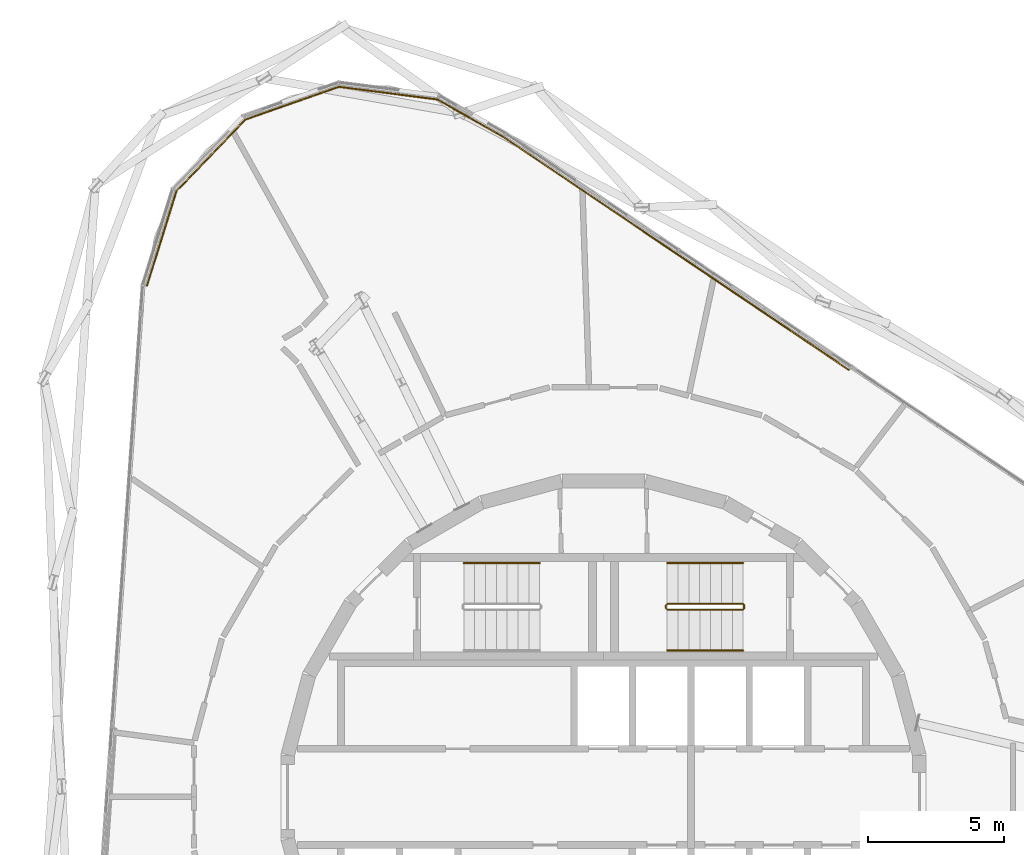
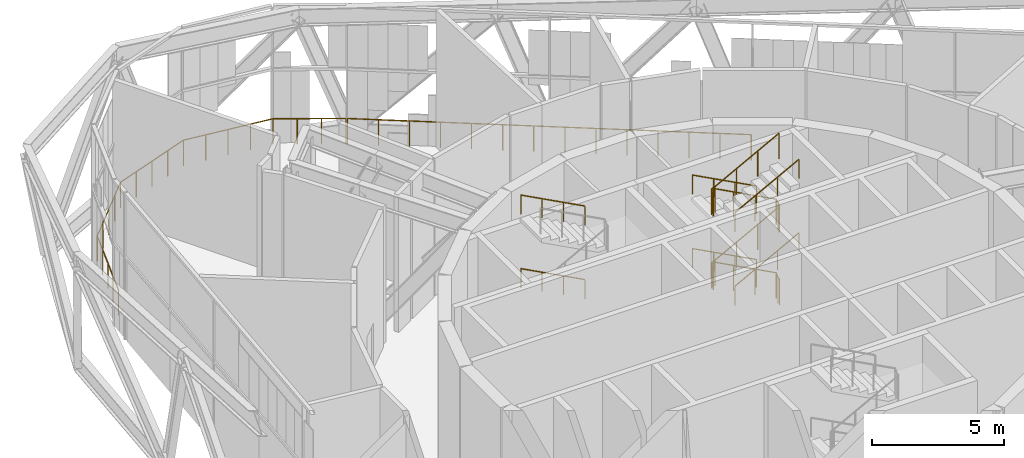
# One storey, part 24 of 24: 9 railings.
"""IFC4 building model written with IfcOpenShell, lengths in metres."""

from ifc_helpers import new_model, si_unit, direction, frame, origin, origin_2d, place, context, subcontext, project, spatial, circle, extrude, material, type_object, element, save


model = new_model("IFC4")

# Units and contexts
model_context = context("Model", 3, precision=1e-05, world=origin(), true_north=direction((0.0, 1.0)))
body_context = subcontext(model_context, "Body", "Model", "MODEL_VIEW")
ifc_project = project(units=[si_unit("LENGTHUNIT", "METRE"), si_unit("AREAUNIT", "SQUARE_METRE"), si_unit("VOLUMEUNIT", "CUBIC_METRE"), si_unit("PLANEANGLEUNIT", "RADIAN"), si_unit("MASSUNIT", "GRAM", prefix="KILO")], contexts=[model_context])

# Site, building, storey
site_placement = place(None, origin())
site = spatial("IfcSite", under=ifc_project, at=site_placement, CompositionType="ELEMENT")
building_placement = place(site_placement, origin())
building = spatial("IfcBuilding", under=site, at=building_placement, Name="Spindle Arch Residences", CompositionType="ELEMENT")
storey_placement = place(building_placement, frame((0.0, 0.0, 219.89990234375)))
storey = spatial("IfcBuildingStorey", under=building, at=storey_placement, Name="L56", CompositionType="ELEMENT", Elevation=219.89990234375)

# Railings
ifc_material_1 = material(Name="Bronze anodised aluminium guard with glass infill", Category="aluminium")
railing_type_1 = type_object("IfcRailingType", Name="Facade guard 1200", PredefinedType="GUARDRAIL", material=ifc_material_1)
railing_1_placement = place(storey_placement, frame((9.03955078125, 15.748291015625, 0.0)))
element("IfcRailing", 1, at=railing_1_placement, inside=storey, type_object=railing_type_1, Name="Facade guard L56 3", PredefinedType="GUARDRAIL", context=body_context, shape_type="SweptSolid", body=[
    extrude(circle(Radius=0.02392578125, at=origin_2d()), frame((0.0, 0.0, 1.17578125), z_axis=(-0.829036238108, 0.559194881864, 0.0), x_axis=(-0.559194881864, -0.829036238108, 0.0)), (0.0, 0.0, 1.0), 15.327392578125),
    extrude(circle(Radius=0.02099609375, at=origin_2d()), origin(), (0.0, 0.0, 1.0), 1.15185546875),
    extrude(circle(Radius=0.02099609375, at=origin_2d()), frame((-0.9775390625, 0.659423828125, 0.0)), (0.0, 0.0, 1.0), 1.15185546875),
    extrude(circle(Radius=0.02099609375, at=origin_2d()), frame((-1.954833984375, 1.318603515625, 0.0)), (0.0, 0.0, 1.0), 1.15185546875),
    extrude(circle(Radius=0.02099609375, at=origin_2d()), frame((-2.932373046875, 1.97802734375, 0.0)), (0.0, 0.0, 1.0), 1.15185546875),
    extrude(circle(Radius=0.02099609375, at=origin_2d()), frame((-3.909912109375, 2.63720703125, 0.0)), (0.0, 0.0, 1.0), 1.15185546875),
    extrude(circle(Radius=0.02099609375, at=origin_2d()), frame((-4.88720703125, 3.296630859375, 0.0)), (0.0, 0.0, 1.0), 1.15185546875),
    extrude(circle(Radius=0.02099609375, at=origin_2d()), frame((-5.86474609375, 3.955810546875, 0.0)), (0.0, 0.0, 1.0), 1.15185546875),
    extrude(circle(Radius=0.02099609375, at=origin_2d()), frame((-6.84228515625, 4.615234375, 0.0)), (0.0, 0.0, 1.0), 1.15185546875),
    extrude(circle(Radius=0.02099609375, at=origin_2d()), frame((-7.81982421875, 5.2744140625, 0.0)), (0.0, 0.0, 1.0), 1.15185546875),
    extrude(circle(Radius=0.02099609375, at=origin_2d()), frame((-8.797119140625, 5.933837890625, 0.0)), (0.0, 0.0, 1.0), 1.15185546875),
    extrude(circle(Radius=0.02099609375, at=origin_2d()), frame((-9.774658203125, 6.593017578125, 0.0)), (0.0, 0.0, 1.0), 1.15185546875),
    extrude(circle(Radius=0.02099609375, at=origin_2d()), frame((-10.752197265625, 7.25244140625, 0.0)), (0.0, 0.0, 1.0), 1.15185546875),
    extrude(circle(Radius=0.02099609375, at=origin_2d()), frame((-11.7294921875, 7.91162109375, 0.0)), (0.0, 0.0, 1.0), 1.15185546875),
    extrude(circle(Radius=0.02099609375, at=origin_2d()), frame((-12.70703125, 8.571044921875, 0.0)), (0.0, 0.0, 1.0), 1.15185546875),
])
railing_2_placement = place(storey_placement, frame((-3.708740234375, 24.3447265625, 0.0)))
element("IfcRailing", 2, at=railing_2_placement, inside=storey, type_object=railing_type_1, Name="Facade guard L56 4", PredefinedType="GUARDRAIL", context=body_context, shape_type="SweptSolid", body=[
    extrude(circle(Radius=0.02392578125, at=origin_2d()), frame((0.0, 0.0, 1.17578125), z_axis=(-0.86953382172, 0.493873397629, 0.0), x_axis=(-0.493873397629, -0.86953382172, 0.0)), (0.0, 0.0, 1.0), 2.775634765625),
    extrude(circle(Radius=0.02392578125, at=origin_2d()), frame((-2.41357421875, 1.370849609375, 1.17578125), z_axis=(-0.991815435092, 0.127679844587, 0.0), x_axis=(-0.127679844587, -0.991815435092, 0.0)), (0.0, 0.0, 1.0), 3.66748046875),
    extrude(circle(Radius=0.02392578125, at=origin_2d()), frame((-6.051025390625, 1.839111328125, 1.17578125), z_axis=(-0.943402558528, -0.331649834256, 0.0), x_axis=(0.331649834256, -0.943402558528, 0.0)), (0.0, 0.0, 1.0), 3.656494140625),
    extrude(circle(Radius=0.02392578125, at=origin_2d()), frame((-9.50048828125, 0.62646484375, 1.17578125), z_axis=(-0.694135570584, -0.719844295421, 0.0), x_axis=(0.719844295421, -0.694135570584, 0.0)), (0.0, 0.0, 1.0), 3.656005859375),
    extrude(circle(Radius=0.02392578125, at=origin_2d()), frame((-12.038330078125, -2.00537109375, 1.17578125), z_axis=(-0.297274892805, -0.954791934459, 0.0), x_axis=(0.954791934459, -0.297274892805, 0.0)), (0.0, 0.0, 1.0), 3.65625),
    extrude(circle(Radius=0.02099609375, at=origin_2d()), origin(), (0.0, 0.0, 1.0), 1.15185546875),
    extrude(circle(Radius=0.02099609375, at=origin_2d()), frame((-0.804443359375, 0.45703125, 0.0)), (0.0, 0.0, 1.0), 1.15185546875),
    extrude(circle(Radius=0.02099609375, at=origin_2d()), frame((-1.609130859375, 0.913818359375, 0.0)), (0.0, 0.0, 1.0), 1.15185546875),
    extrude(circle(Radius=0.02099609375, at=origin_2d()), frame((-2.41357421875, 1.370849609375, 0.0)), (0.0, 0.0, 1.0), 1.15185546875),
    extrude(circle(Radius=0.02099609375, at=origin_2d()), frame((-3.322998046875, 1.48779296875, 0.0)), (0.0, 0.0, 1.0), 1.15185546875),
    extrude(circle(Radius=0.02099609375, at=origin_2d()), frame((-4.232421875, 1.60498046875, 0.0)), (0.0, 0.0, 1.0), 1.15185546875),
    extrude(circle(Radius=0.02099609375, at=origin_2d()), frame((-5.1416015625, 1.72216796875, 0.0)), (0.0, 0.0, 1.0), 1.15185546875),
    extrude(circle(Radius=0.02099609375, at=origin_2d()), frame((-6.051025390625, 1.839111328125, 0.0)), (0.0, 0.0, 1.0), 1.15185546875),
    extrude(circle(Radius=0.02099609375, at=origin_2d()), frame((-6.913330078125, 1.535888671875, 0.0)), (0.0, 0.0, 1.0), 1.15185546875),
    extrude(circle(Radius=0.02099609375, at=origin_2d()), frame((-7.77587890625, 1.23291015625, 0.0)), (0.0, 0.0, 1.0), 1.15185546875),
    extrude(circle(Radius=0.02099609375, at=origin_2d()), frame((-8.63818359375, 0.9296875, 0.0)), (0.0, 0.0, 1.0), 1.15185546875),
    extrude(circle(Radius=0.02099609375, at=origin_2d()), frame((-9.50048828125, 0.62646484375, 0.0)), (0.0, 0.0, 1.0), 1.15185546875),
    extrude(circle(Radius=0.02099609375, at=origin_2d()), frame((-10.135009765625, -0.031494140625, 0.0)), (0.0, 0.0, 1.0), 1.15185546875),
    extrude(circle(Radius=0.02099609375, at=origin_2d()), frame((-10.76953125, -0.689453125, 0.0)), (0.0, 0.0, 1.0), 1.15185546875),
    extrude(circle(Radius=0.02099609375, at=origin_2d()), frame((-11.40380859375, -1.347412109375, 0.0)), (0.0, 0.0, 1.0), 1.15185546875),
    extrude(circle(Radius=0.02099609375, at=origin_2d()), frame((-12.038330078125, -2.00537109375, 0.0)), (0.0, 0.0, 1.0), 1.15185546875),
    extrude(circle(Radius=0.02099609375, at=origin_2d()), frame((-12.31005859375, -2.878173828125, 0.0)), (0.0, 0.0, 1.0), 1.15185546875),
    extrude(circle(Radius=0.02099609375, at=origin_2d()), frame((-12.581787109375, -3.7509765625, 0.0)), (0.0, 0.0, 1.0), 1.15185546875),
    extrude(circle(Radius=0.02099609375, at=origin_2d()), frame((-12.853515625, -4.62353515625, 0.0)), (0.0, 0.0, 1.0), 1.15185546875),
    extrude(circle(Radius=0.02099609375, at=origin_2d()), frame((-13.125244140625, -5.496337890625, 0.0)), (0.0, 0.0, 1.0), 1.15185546875),
])
ifc_material_2 = material(Name="Steel, painted", Category="steel")
railing_type_2 = type_object("IfcRailingType", Name="Stair guard 1100", PredefinedType="GUARDRAIL", material=ifc_material_2)
railing_3_placement = place(storey_placement, frame((5.14990234375, 6.89990234375, 6.800048828125)))
element("IfcRailing", 3, at=railing_3_placement, inside=storey, type_object=railing_type_2, Name="L56 ST1 stair guard 1", PredefinedType="GUARDRAIL", context=body_context, shape_type="SweptSolid", body=[
    extrude(circle(Radius=0.02392578125, at=origin_2d()), frame((0.0, 0.0, 1.17578125), z_axis=(-0.883095778239, 0.0, -0.469192760447), x_axis=(0.0, -1.0, 0.0)), (0.0, 0.0, 1.0), 3.17041015625),
    extrude(circle(Radius=0.02392578125, at=origin_2d()), frame((-2.7998046875, 0.0, -0.3115234375), z_axis=(-0.223546962728, 0.223546962728, -0.948711500357), x_axis=(-0.707106781187, -0.707106781187, 0.0)), (0.0, 0.0, 1.0), 0.223876953125),
    extrude(circle(Radius=0.02392578125, at=origin_2d()), frame((-2.849853515625, 0.050048828125, -0.52392578125), z_axis=(0.0, 1.0, 0.0), x_axis=(-1.0, 0.0, 0.0)), (0.0, 0.0, 1.0), 0.1201171875),
    extrude(circle(Radius=0.02392578125, at=origin_2d()), frame((-2.849853515625, 0.170166015625, -0.52392578125), z_axis=(0.707106781187, 0.707106781187, 0.0), x_axis=(-0.707106781187, 0.707106781187, 0.0)), (0.0, 0.0, 1.0), 0.07080078125),
    extrude(circle(Radius=0.02392578125, at=origin_2d()), frame((-2.7998046875, 0.22021484375, -0.52392578125), z_axis=(0.883095778239, 0.0, -0.469192760447), x_axis=(0.0, 1.0, 0.0)), (0.0, 0.0, 1.0), 3.17041015625),
    extrude(circle(Radius=0.02392578125, at=origin_2d()), frame((0.0, 0.22021484375, -2.01171875), z_axis=(0.180861968005, -0.614930691216, -0.767560547142), x_axis=(0.959365501571, 0.282166323992, 0.0)), (0.0, 0.0, 1.0), 0.276611328125),
    extrude(circle(Radius=0.02392578125, at=origin_2d()), frame((0.050048828125, 0.050048828125, -2.22412109375), z_axis=(0.0, 1.0, 0.0), x_axis=(-1.0, 0.0, 0.0)), (0.0, 0.0, 1.0), 0.1201171875),
    extrude(circle(Radius=0.02392578125, at=origin_2d()), frame((0.050048828125, 0.170166015625, -2.22412109375), z_axis=(-0.282166323992, -0.959365501571, 0.0), x_axis=(0.959365501571, -0.282166323992, 0.0)), (0.0, 0.0, 1.0), 0.177490234375),
    extrude(circle(Radius=0.02392578125, at=origin_2d()), frame((0.0, 0.0, -2.22412109375), z_axis=(-0.883095778239, 0.0, -0.469192760447), x_axis=(0.0, -1.0, 0.0)), (0.0, 0.0, 1.0), 3.17041015625),
    extrude(circle(Radius=0.02392578125, at=origin_2d()), frame((-2.7998046875, 0.0, -3.71142578125), z_axis=(-0.223546962728, 0.223546962728, -0.948711500357), x_axis=(-0.707106781187, -0.707106781187, 0.0)), (0.0, 0.0, 1.0), 0.223876953125),
    extrude(circle(Radius=0.02392578125, at=origin_2d()), frame((-2.849853515625, 0.050048828125, -3.923828125), z_axis=(0.0, 1.0, 0.0), x_axis=(-1.0, 0.0, 0.0)), (0.0, 0.0, 1.0), 0.1201171875),
    extrude(circle(Radius=0.02392578125, at=origin_2d()), frame((-2.849853515625, 0.170166015625, -3.923828125), z_axis=(0.707106781187, 0.707106781187, 0.0), x_axis=(-0.707106781187, 0.707106781187, 0.0)), (0.0, 0.0, 1.0), 0.07080078125),
    extrude(circle(Radius=0.02392578125, at=origin_2d()), frame((-2.7998046875, 0.22021484375, -3.923828125), z_axis=(0.883095778239, 0.0, -0.469192760447), x_axis=(0.0, 1.0, 0.0)), (0.0, 0.0, 1.0), 3.17041015625),
    extrude(circle(Radius=0.02392578125, at=origin_2d()), frame((0.0, 0.22021484375, -5.41162109375), z_axis=(0.223315919267, -0.223315919267, -0.9488203204), x_axis=(0.707106781187, 0.707106781187, 0.0)), (0.0, 0.0, 1.0), 0.22412109375),
    extrude(circle(Radius=0.02392578125, at=origin_2d()), frame((0.050048828125, 0.170166015625, -5.6240234375), z_axis=(0.0, -1.0, 0.0), x_axis=(1.0, 0.0, 0.0)), (0.0, 0.0, 1.0), 0.1201171875),
    extrude(circle(Radius=0.02099609375, at=origin_2d()), origin(), (0.0, 0.0, 1.0), 1.15185546875),
    extrude(circle(Radius=0.02099609375, at=origin_2d()), frame((-0.933349609375, 0.0, -0.495849609375)), (0.0, 0.0, 1.0), 1.15185546875),
    extrude(circle(Radius=0.02099609375, at=origin_2d()), frame((-1.866455078125, 0.0, -0.99169921875)), (0.0, 0.0, 1.0), 1.15185546875),
    extrude(circle(Radius=0.02099609375, at=origin_2d()), frame((-2.7998046875, 0.0, -1.487548828125)), (0.0, 0.0, 1.0), 1.15185546875),
    extrude(circle(Radius=0.02099609375, at=origin_2d()), frame((-2.849853515625, 0.050048828125, -1.699951171875)), (0.0, 0.0, 1.0), 1.15185546875),
    extrude(circle(Radius=0.02099609375, at=origin_2d()), frame((-2.849853515625, 0.170166015625, -1.699951171875)), (0.0, 0.0, 1.0), 1.15185546875),
    extrude(circle(Radius=0.02099609375, at=origin_2d()), frame((-2.7998046875, 0.22021484375, -1.699951171875)), (0.0, 0.0, 1.0), 1.15185546875),
    extrude(circle(Radius=0.02099609375, at=origin_2d()), frame((-1.866455078125, 0.22021484375, -2.19580078125)), (0.0, 0.0, 1.0), 1.15185546875),
    extrude(circle(Radius=0.02099609375, at=origin_2d()), frame((-0.933349609375, 0.22021484375, -2.691650390625)), (0.0, 0.0, 1.0), 1.15185546875),
    extrude(circle(Radius=0.02099609375, at=origin_2d()), frame((0.0, 0.22021484375, -3.1875)), (0.0, 0.0, 1.0), 1.15185546875),
    extrude(circle(Radius=0.02099609375, at=origin_2d()), frame((0.050048828125, 0.050048828125, -3.39990234375)), (0.0, 0.0, 1.0), 1.15185546875),
    extrude(circle(Radius=0.02099609375, at=origin_2d()), frame((0.050048828125, 0.170166015625, -3.39990234375)), (0.0, 0.0, 1.0), 1.15185546875),
    extrude(circle(Radius=0.02099609375, at=origin_2d()), frame((0.0, 0.0, -3.39990234375)), (0.0, 0.0, 1.0), 1.15185546875),
    extrude(circle(Radius=0.02099609375, at=origin_2d()), frame((-0.933349609375, 0.0, -3.895751953125)), (0.0, 0.0, 1.0), 1.15185546875),
    extrude(circle(Radius=0.02099609375, at=origin_2d()), frame((-1.866455078125, 0.0, -4.3916015625)), (0.0, 0.0, 1.0), 1.15185546875),
    extrude(circle(Radius=0.02099609375, at=origin_2d()), frame((-2.7998046875, 0.0, -4.887451171875)), (0.0, 0.0, 1.0), 1.15185546875),
    extrude(circle(Radius=0.02099609375, at=origin_2d()), frame((-2.849853515625, 0.050048828125, -5.099853515625)), (0.0, 0.0, 1.0), 1.15185546875),
    extrude(circle(Radius=0.02099609375, at=origin_2d()), frame((-2.849853515625, 0.170166015625, -5.099853515625)), (0.0, 0.0, 1.0), 1.15185546875),
    extrude(circle(Radius=0.02099609375, at=origin_2d()), frame((-2.7998046875, 0.22021484375, -5.099853515625)), (0.0, 0.0, 1.0), 1.15185546875),
    extrude(circle(Radius=0.02099609375, at=origin_2d()), frame((-1.866455078125, 0.22021484375, -5.595703125)), (0.0, 0.0, 1.0), 1.15185546875),
    extrude(circle(Radius=0.02099609375, at=origin_2d()), frame((-0.933349609375, 0.22021484375, -6.091552734375)), (0.0, 0.0, 1.0), 1.15185546875),
    extrude(circle(Radius=0.02099609375, at=origin_2d()), frame((0.0, 0.22021484375, -6.58740234375)), (0.0, 0.0, 1.0), 1.15185546875),
    extrude(circle(Radius=0.02099609375, at=origin_2d()), frame((0.050048828125, 0.170166015625, -6.800048828125)), (0.0, 0.0, 1.0), 1.15185546875),
    extrude(circle(Radius=0.02099609375, at=origin_2d()), frame((0.050048828125, 0.050048828125, -6.800048828125)), (0.0, 0.0, 1.0), 1.15185546875),
])
ifc_material_3 = material(Name="Steel, painted", Category="steel")
railing_type_3 = type_object("IfcRailingType", Name="Stair handrail 900", PredefinedType="HANDRAIL", material=ifc_material_3)
railing_4_placement = place(storey_placement, frame((5.14990234375, 8.6201171875, 0.212646484375)))
element("IfcRailing", 4, at=railing_4_placement, inside=storey, type_object=railing_type_3, Name="L56 ST1 stair handrail 1", PredefinedType="HANDRAIL", context=body_context, shape_type="SweptSolid", body=[
    extrude(circle(Radius=0.02392578125, at=origin_2d()), frame((0.0, 0.0, 0.8759765625), z_axis=(-0.883095778239, 0.0, 0.469192760447), x_axis=(0.0, -1.0, 0.0)), (0.0, 0.0, 1.0), 3.17041015625),
    extrude(circle(Radius=0.02099609375, at=origin_2d()), origin(), (0.0, 0.0, 1.0), 0.851806640625),
    extrude(circle(Radius=0.02099609375, at=origin_2d()), frame((-0.933349609375, 0.0, 0.495849609375)), (0.0, 0.0, 1.0), 0.851806640625),
    extrude(circle(Radius=0.02099609375, at=origin_2d()), frame((-1.866455078125, 0.0, 0.99169921875)), (0.0, 0.0, 1.0), 0.851806640625),
    extrude(circle(Radius=0.02099609375, at=origin_2d()), frame((-2.7998046875, 0.0, 1.487548828125)), (0.0, 0.0, 1.0), 0.851806640625),
])
railing_5_placement = place(storey_placement, frame((2.35009765625, 5.39990234375, 1.91259765625)))
element("IfcRailing", 5, at=railing_5_placement, inside=storey, type_object=railing_type_3, Name="L56 ST1 stair handrail 2", PredefinedType="HANDRAIL", context=body_context, shape_type="SweptSolid", body=[
    extrude(circle(Radius=0.02392578125, at=origin_2d()), frame((0.0, 0.0, 0.8759765625), z_axis=(0.883095778239, 0.0, 0.469192760447), x_axis=(0.0, 1.0, 0.0)), (0.0, 0.0, 1.0), 3.17041015625),
    extrude(circle(Radius=0.02099609375, at=origin_2d()), origin(), (0.0, 0.0, 1.0), 0.851806640625),
    extrude(circle(Radius=0.02099609375, at=origin_2d()), frame((0.933349609375, 0.0, 0.495849609375)), (0.0, 0.0, 1.0), 0.851806640625),
    extrude(circle(Radius=0.02099609375, at=origin_2d()), frame((1.866455078125, 0.0, 0.99169921875)), (0.0, 0.0, 1.0), 0.851806640625),
    extrude(circle(Radius=0.02099609375, at=origin_2d()), frame((2.7998046875, 0.0, 1.487548828125)), (0.0, 0.0, 1.0), 0.851806640625),
])
railing_6_placement = place(storey_placement, frame((5.14990234375, 8.6201171875, 3.612548828125)))
element("IfcRailing", 6, at=railing_6_placement, inside=storey, type_object=railing_type_3, Name="L56 ST1 stair handrail 3", PredefinedType="HANDRAIL", context=body_context, shape_type="SweptSolid", body=[
    extrude(circle(Radius=0.02392578125, at=origin_2d()), frame((0.0, 0.0, 0.8759765625), z_axis=(-0.883095778239, 0.0, 0.469192760447), x_axis=(0.0, -1.0, 0.0)), (0.0, 0.0, 1.0), 3.17041015625),
    extrude(circle(Radius=0.02099609375, at=origin_2d()), origin(), (0.0, 0.0, 1.0), 0.851806640625),
    extrude(circle(Radius=0.02099609375, at=origin_2d()), frame((-0.933349609375, 0.0, 0.495849609375)), (0.0, 0.0, 1.0), 0.851806640625),
    extrude(circle(Radius=0.02099609375, at=origin_2d()), frame((-1.866455078125, 0.0, 0.99169921875)), (0.0, 0.0, 1.0), 0.851806640625),
    extrude(circle(Radius=0.02099609375, at=origin_2d()), frame((-2.7998046875, 0.0, 1.487548828125)), (0.0, 0.0, 1.0), 0.851806640625),
])
railing_7_placement = place(storey_placement, frame((2.35009765625, 5.39990234375, 5.3125)))
element("IfcRailing", 7, at=railing_7_placement, inside=storey, type_object=railing_type_3, Name="L56 ST1 stair handrail 4", PredefinedType="HANDRAIL", context=body_context, shape_type="SweptSolid", body=[
    extrude(circle(Radius=0.02392578125, at=origin_2d()), frame((0.0, 0.0, 0.8759765625), z_axis=(0.883095778239, 0.0, 0.469192760447), x_axis=(0.0, 1.0, 0.0)), (0.0, 0.0, 1.0), 3.17041015625),
    extrude(circle(Radius=0.02099609375, at=origin_2d()), origin(), (0.0, 0.0, 1.0), 0.851806640625),
    extrude(circle(Radius=0.02099609375, at=origin_2d()), frame((0.933349609375, 0.0, 0.495849609375)), (0.0, 0.0, 1.0), 0.851806640625),
    extrude(circle(Radius=0.02099609375, at=origin_2d()), frame((1.866455078125, 0.0, 0.99169921875)), (0.0, 0.0, 1.0), 0.851806640625),
    extrude(circle(Radius=0.02099609375, at=origin_2d()), frame((2.7998046875, 0.0, 1.487548828125)), (0.0, 0.0, 1.0), 0.851806640625),
])
for number, where, name in (
    (8, (-2.35009765625, 8.6201171875, 1.91259765625), "L56 ST2 stair handrail 2"),
    (9, (-2.35009765625, 8.6201171875, 5.3125), "L56 ST2 stair handrail 4"),
):
    element("IfcRailing", number, at=place(storey_placement, frame(where)), inside=storey, type_object=railing_type_3, Name=name, PredefinedType="HANDRAIL", context=body_context, shape_type="SweptSolid", body=[
        extrude(circle(Radius=0.02392578125, at=origin_2d()), frame((0.0, 0.0, 0.8759765625), z_axis=(-0.883095778239, 0.0, 0.469192760447), x_axis=(0.0, -1.0, 0.0)), (0.0, 0.0, 1.0), 3.17041015625),
        extrude(circle(Radius=0.02099609375, at=origin_2d()), origin(), (0.0, 0.0, 1.0), 0.851806640625),
        extrude(circle(Radius=0.02099609375, at=origin_2d()), frame((-0.933349609375, 0.0, 0.495849609375)), (0.0, 0.0, 1.0), 0.851806640625),
        extrude(circle(Radius=0.02099609375, at=origin_2d()), frame((-1.866455078125, 0.0, 0.99169921875)), (0.0, 0.0, 1.0), 0.851806640625),
        extrude(circle(Radius=0.02099609375, at=origin_2d()), frame((-2.7998046875, 0.0, 1.487548828125)), (0.0, 0.0, 1.0), 0.851806640625),
    ])

save(model, "model.ifc")
